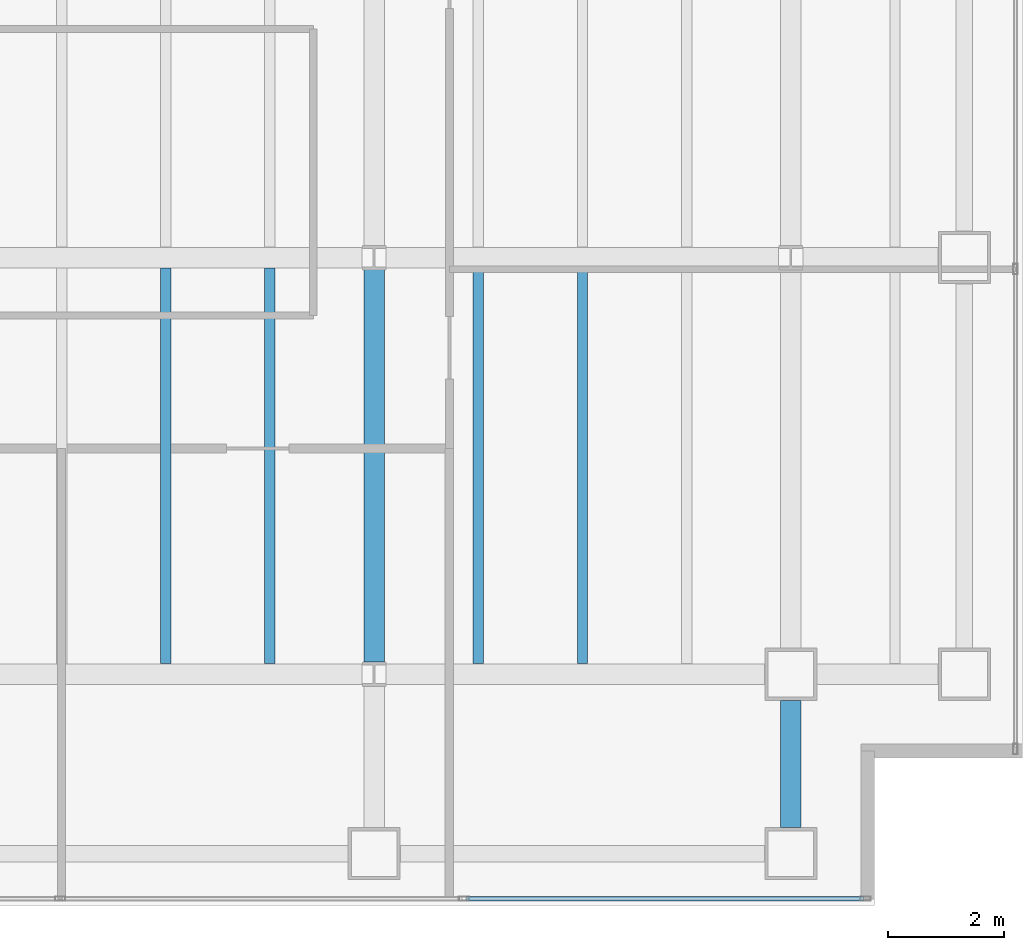
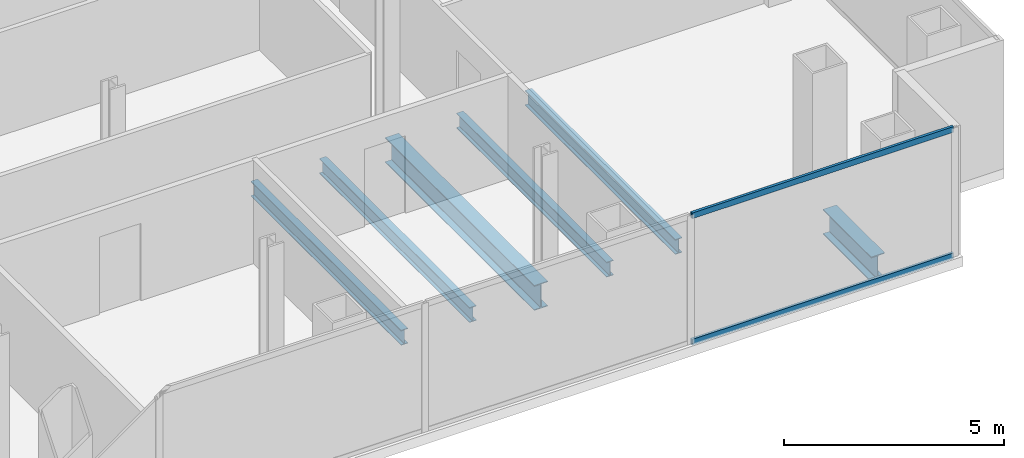
# One storey, part 10 of 23: 6 beams, 2 members, 1 element without a shape of its own.
"""IFC4 building model written with IfcOpenShell, lengths in metres."""

from ifc_helpers import new_model, si_unit, direction, frame, origin, origin_2d, place, context, subcontext, project, spatial, hollow_rectangle, i_section, extrude, material, material_profile, profile_set, type_object, element, aggregate, save


model = new_model("IFC4")

# Units and contexts
model_context = context("Model", 3, precision=1e-05, world=origin(), true_north=direction((0.0, 1.0)))
body_context = subcontext(model_context, "Body", "Model", "MODEL_VIEW")
ifc_project = project(units=[si_unit("LENGTHUNIT", "METRE"), si_unit("AREAUNIT", "SQUARE_METRE"), si_unit("VOLUMEUNIT", "CUBIC_METRE"), si_unit("PLANEANGLEUNIT", "RADIAN"), si_unit("MASSUNIT", "GRAM", prefix="KILO")], contexts=[model_context])

# Site, building, storey
site_placement = place(None, origin())
site = spatial("IfcSite", under=ifc_project, at=site_placement, CompositionType="ELEMENT")
building_placement = place(site_placement, origin())
building = spatial("IfcBuilding", under=site, at=building_placement, Name="Cobrela Telecom Tower", CompositionType="ELEMENT")
storey_placement = place(building_placement, frame((0.0, 0.0, 133.0)))
storey = spatial("IfcBuildingStorey", under=building, at=storey_placement, Name="L33", CompositionType="ELEMENT", Elevation=133.0)

# Beams
ifc_material_1 = material(Name="Steel ASTM A992 Grade 50", Category="steel")
ifc_material_profile_1 = material_profile(ifc_material_1, i_section(OverallWidth=0.35595703125, OverallDepth=0.696044921875, WebThickness=0.015380859375, FlangeThickness=0.024658203125, FilletRadius=0.01806640625, at=origin_2d()), Name="W27X146")
ifc_profile_set_1 = profile_set([ifc_material_profile_1], Name="Steel ASTM A992 Grade 50")
beam_type_1 = type_object("IfcBeamType", Name="BM-GIRD-05", PredefinedType="USERDEFINED", material=ifc_profile_set_1)
beam_1_placement = place(storey_placement, frame((36.0, 7.409423828125, -0.617919921875), z_axis=(0.0, 1.0, 0.0), x_axis=(-1.0, 0.0, 0.0)))
element("IfcBeam", 1, at=beam_1_placement, inside=storey, type_object=beam_type_1, Name="L33 Primary Girder Y50", ObjectType="GIRDER", PredefinedType="USERDEFINED", context=body_context, shape_type="SweptSolid", body=[
    extrude(i_section(OverallWidth=0.35595703125, OverallDepth=0.696044921875, WebThickness=0.015380859375, FlangeThickness=0.024658203125, FilletRadius=0.01806640625, at=origin_2d()), origin(), (0.0, 0.0, 1.0), 6.781005859375),
])
beam_2_placement = place(storey_placement, frame((43.199951171875, 4.554931640625, -0.617919921875), z_axis=(0.0, 1.0, 0.0), x_axis=(-1.0, 0.0, 0.0)))
element("IfcBeam", 2, at=beam_2_placement, inside=storey, type_object=beam_type_1, Name="L33 Primary Girder Y52", ObjectType="GIRDER", PredefinedType="USERDEFINED", context=body_context, shape_type="SweptSolid", body=[
    extrude(i_section(OverallWidth=0.35595703125, OverallDepth=0.696044921875, WebThickness=0.015380859375, FlangeThickness=0.024658203125, FilletRadius=0.01806640625, at=origin_2d()), origin(), (0.0, 0.0, 1.0), 2.190185546875),
])
ifc_material_profile_2 = material_profile(ifc_material_1, i_section(OverallWidth=0.179931640625, OverallDepth=0.4169921875, WebThickness=0.010986328125, FlangeThickness=0.01806640625, FilletRadius=0.011962890625, at=origin_2d()), Name="W16X57")
ifc_profile_set_2 = profile_set([ifc_material_profile_2], Name="Steel ASTM A992 Grade 50")
beam_type_2 = type_object("IfcBeamType", Name="BM-JOIST-04", PredefinedType="JOIST", material=ifc_profile_set_2)
for number, where, z_axis, x_axis, name in (
    (3, (32.39990234375, 7.383056640625, -0.478515625), (0.0, 1.0, 0.0), (-1.0, 0.0, 0.0), "L33 Secondary Composite Floor Beam J29"),
    (4, (34.199951171875, 7.383056640625, -0.478515625), (0.0, 1.0, 0.0), (-1.0, 0.0, 0.0), "L33 Secondary Composite Floor Beam J31"),
    (5, (37.800048828125, 7.383056640625, -0.478515625), (0.0, 1.0, 0.0), (-1.0, 0.0, 0.0), "L33 Secondary Composite Floor Beam J33"),
    (6, (39.60009765625, 7.383056640625, -0.478515625), (0.0, 1.0, 0.0), (-1.0, 0.0, 0.0), "L33 Secondary Composite Floor Beam J35"),
):
    element("IfcBeam", number, at=place(storey_placement, frame(where, z_axis=z_axis, x_axis=x_axis)), inside=storey, type_object=beam_type_2, Name=name, PredefinedType="JOIST", context=body_context, shape_type="SweptSolid", body=[
        extrude(i_section(OverallWidth=0.179931640625, OverallDepth=0.4169921875, WebThickness=0.010986328125, FlangeThickness=0.01806640625, FilletRadius=0.011962890625, at=origin_2d()), origin(), (0.0, 0.0, 1.0), 6.833984375),
    ])

# Curtain wall, members
ifc_material_2 = material(Name="Anodized Bronze Aluminium 6063-T6", Category="aluminium")
curtain_wall_type = type_object("IfcCurtainWallType", Name="CW-SYS-TEL", PredefinedType="USERDEFINED", material=ifc_material_2)
curtain_wall_placement = place(storey_placement, origin())
curtain_wall = element("IfcCurtainWall", 7, at=curtain_wall_placement, inside=storey, type_object=curtain_wall_type, Name="L33 Unitised Bronze Curtain Wall 17", ObjectType="UNITISED CURTAIN WALL", PredefinedType="USERDEFINED")
ifc_material_profile_3 = material_profile(ifc_material_2, hollow_rectangle(XDim=0.070068359375, YDim=0.159912109375, WallThickness=0.00390625, at=origin_2d()), Name="ALU 70x160x4")
ifc_profile_set_3 = profile_set([ifc_material_profile_3], Name="Anodized Bronze Aluminium 6063-T6")
member_type = type_object("IfcMemberType", Name="CW-SYS-TEL-TRN", PredefinedType="USERDEFINED", material=ifc_profile_set_3)
member_1_placement = place(storey_placement, frame((44.455078125, 3.320068359375, 0.034912109375), z_axis=(-1.0, 0.0, 0.0), x_axis=(0.0, -1.0, 0.0)))
member_1 = element("IfcMember", 8, at=member_1_placement, type_object=member_type, Name="CW-TEL transom 1.1", ObjectType="TRANSOM", PredefinedType="USERDEFINED", context=body_context, shape_type="SweptSolid", body=[
    extrude(hollow_rectangle(XDim=0.070068359375, YDim=0.159912109375, WallThickness=0.00390625, at=origin_2d()), origin(), (0.0, 0.0, 1.0), 6.8642578125),
])
member_2_placement = place(storey_placement, frame((44.455078125, 3.320068359375, 3.544921875), z_axis=(-1.0, 0.0, 0.0), x_axis=(0.0, -1.0, 0.0)))
member_2 = element("IfcMember", 9, at=member_2_placement, type_object=member_type, Name="CW-TEL transom 1.2", ObjectType="TRANSOM", PredefinedType="USERDEFINED", context=body_context, shape_type="SweptSolid", body=[
    extrude(hollow_rectangle(XDim=0.070068359375, YDim=0.159912109375, WallThickness=0.00390625, at=origin_2d()), origin(), (0.0, 0.0, 1.0), 6.8642578125),
])
aggregate(curtain_wall, [member_1, member_2])

save(model, "model.ifc")
